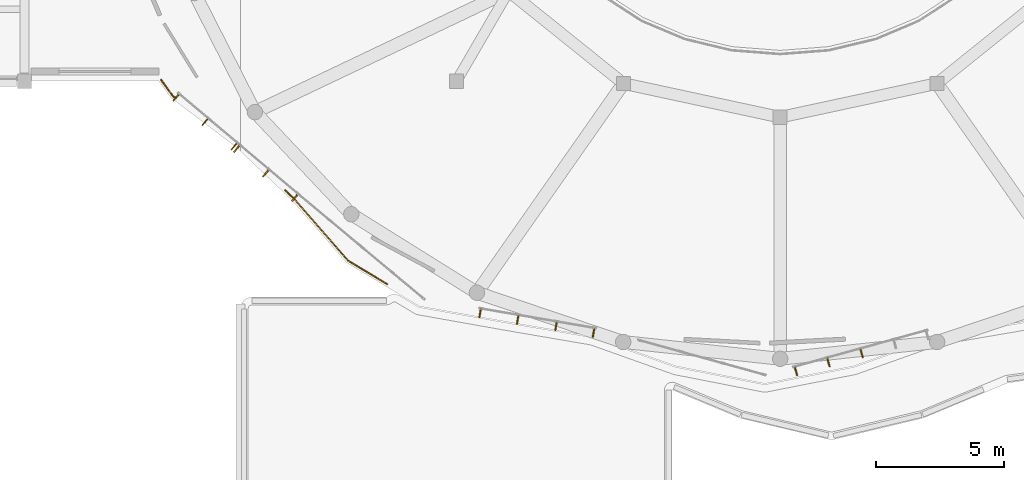
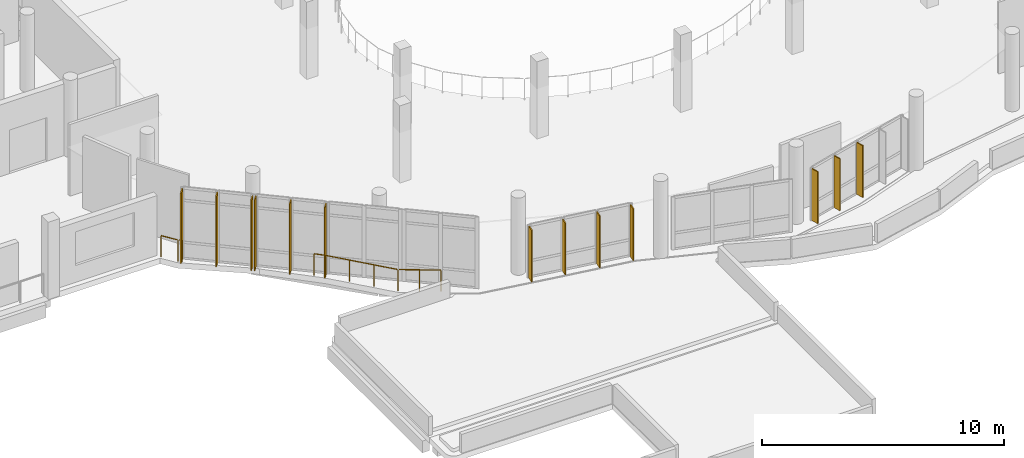
# One storey, part 65 of 74: 13 shading devices, 2 railings.
"""IFC4 building model written with IfcOpenShell, lengths in metres."""

import ifcopenshell
import ifcopenshell.guid

model = None  # the IFC model being written
_history = None  # IfcOwnerHistory: only IFC2X3 demands one
_inside = {}  # id of a spatial element -> (the spatial element, [elements in it])
_under = {}  # id of a project, library or spatial element -> (it, [spatial elements below it])
_declared = {}  # id of a project -> (the project, [libraries it declares])
_typed = {}  # id of a type object -> (the type object, [elements of that type])
_made_of = {}  # id of a material, layer set ... -> (it, [elements and type objects made of it])


def new_model(schema):
    """Start an empty IFC model of exactly this schema.

    Asked for "IFC4X3", IfcOpenShell would pick the latest addendum, in which some entities
    have other attributes; the version numbers below select the first issue.
    IFC2X3 requires an IfcOwnerHistory on every rooted entity: one is made here for all.
    """
    global model, _history
    if schema == "IFC4X3":
        model = ifcopenshell.file(schema_version=(4, 3, 0, 0))
    else:
        model = ifcopenshell.file(schema=schema)
    _inside.clear()
    _under.clear()
    _declared.clear()
    _typed.clear()
    _made_of.clear()
    _history = None
    if model.schema == "IFC2X3":
        org = make("IfcOrganization", Name="unknown")
        user = make(
            "IfcPersonAndOrganization",
            ThePerson=make("IfcPerson", FamilyName="unknown"),
            TheOrganization=org,
        )
        app = make(
            "IfcApplication",
            ApplicationDeveloper=org,
            Version="unknown",
            ApplicationFullName="unknown",
            ApplicationIdentifier="unknown",
        )
        _history = make(
            "IfcOwnerHistory",
            OwningUser=user,
            OwningApplication=app,
            ChangeAction="ADDED",
            CreationDate=0,
        )
    return model


def make(cls, **values):
    """One entity of the class cls with the attributes given. An attribute that is None is left unset."""
    return model.create_entity(
        cls, **{name: value for name, value in values.items() if value is not None}
    )


def rooted(cls, **values):
    """An entity with a GlobalId (a new one), such as an element, a storey or a relation."""
    return make(cls, GlobalId=ifcopenshell.guid.new(), OwnerHistory=_history, **values)


def si_unit(unit_type, name, prefix=None):
    """IfcSIUnit, for example si_unit("LENGTHUNIT", "METRE", prefix="MILLI")."""
    return make("IfcSIUnit", UnitType=unit_type, Prefix=prefix, Name=name)


def derived_unit(unit_type, elements):
    """IfcDerivedUnit: a product of units, each with its exponent."""
    return make(
        "IfcDerivedUnit",
        Elements=[
            make("IfcDerivedUnitElement", Unit=unit, Exponent=power)
            for unit, power in elements
        ],
        UnitType=unit_type,
    )


def assignment(units):
    """IfcUnitAssignment: the units of a project."""
    return None if units is None else make("IfcUnitAssignment", Units=units)


def point(xyz):
    """IfcCartesianPoint."""
    return None if xyz is None else make("IfcCartesianPoint", Coordinates=xyz)


def direction(xyz):
    """IfcDirection."""
    return None if xyz is None else make("IfcDirection", DirectionRatios=xyz)


def frame(location, z_axis=None, x_axis=None):
    """IfcAxis2Placement3D, a coordinate frame: its origin and axes. An axis left out is left unset."""
    return make(
        "IfcAxis2Placement3D",
        Location=point(location),
        Axis=direction(z_axis),
        RefDirection=direction(x_axis),
    )


def frame_2d(location, x_axis=None):
    """IfcAxis2Placement2D, a coordinate frame in the plane: its origin and x axis."""
    return make(
        "IfcAxis2Placement2D", Location=point(location), RefDirection=direction(x_axis)
    )


def origin():
    """The frame at (0, 0, 0) with its axes left unset."""
    return frame((0.0, 0.0, 0.0))


def origin_2d():
    """The frame at (0, 0) in the plane with its x axis left unset."""
    return frame_2d((0.0, 0.0))


def place(relative_to, where):
    """IfcLocalPlacement: puts the frame where relative to a parent placement (None: the world)."""
    return make(
        "IfcLocalPlacement", PlacementRelTo=relative_to, RelativePlacement=where
    )


def context(
    kind, dimensions, precision=None, world=None, true_north=None, identifier=None
):
    """IfcGeometricRepresentationContext, for example the 3D "Model" context."""
    return make(
        "IfcGeometricRepresentationContext",
        ContextIdentifier=identifier,
        ContextType=kind,
        CoordinateSpaceDimension=dimensions,
        Precision=precision,
        WorldCoordinateSystem=world,
        TrueNorth=true_north,
    )


def subcontext(parent, identifier, kind, view, scale=None):
    """IfcGeometricRepresentationSubContext, for example "Body" below "Model"."""
    return make(
        "IfcGeometricRepresentationSubContext",
        ContextIdentifier=identifier,
        ContextType=kind,
        ParentContext=parent,
        TargetScale=scale,
        TargetView=view,
    )


def project(units=None, contexts=None):
    """IfcProject with its units and contexts."""
    return rooted(
        "IfcProject",
        Name="project",
        RepresentationContexts=contexts,
        UnitsInContext=assignment(units),
    )


def spatial(cls, under=None, at=None, **own):
    """A site, building, storey or space (cls), placed at a placement, below another one or the project."""
    s = rooted(cls, ObjectPlacement=at, **own)
    if under is not None:
        _under.setdefault(under.id(), (under, []))[1].append(s)
    return s


def profile(cls, at=None, kind="AREA", **sizes):
    """A parametric profile (cls). Its sizes go by their IFC names, for example OverallWidth=200.0."""
    return make(cls, ProfileType=kind, Position=at, **sizes)


def rectangle(**sizes):
    """IfcRectangleProfileDef."""
    return profile("IfcRectangleProfileDef", **sizes)


def circle(**sizes):
    """IfcCircleProfileDef."""
    return profile("IfcCircleProfileDef", **sizes)


def extrude(swept, where, along, depth):
    """IfcExtrudedAreaSolid: the profile swept, set in the frame where, extruded along a direction by depth."""
    return make(
        "IfcExtrudedAreaSolid",
        SweptArea=swept,
        Position=where,
        ExtrudedDirection=direction(along),
        Depth=depth,
    )


def shape(context_of_items, identifier, shape_type, items):
    """IfcShapeRepresentation: the items that make up one representation, for example the "Body"."""
    return make(
        "IfcShapeRepresentation",
        ContextOfItems=context_of_items,
        RepresentationIdentifier=identifier,
        RepresentationType=shape_type,
        Items=items,
    )


def material(Name=None, Category=None):
    """IfcMaterial."""
    return make("IfcMaterial", Name=Name, Category=Category)


def made_of(thing, what):
    """Note that an element or type object is made of a material, layer set ...; save() writes the relation."""
    if what is not None:
        _made_of.setdefault(what.id(), (what, []))[1].append(thing)
    return thing


def type_object(cls, material=None, **own):
    """A type object (cls), such as IfcWallType, which elements share."""
    return made_of(rooted(cls, **own), material)


def element(
    cls,
    number,
    at=None,
    inside=None,
    cuts=None,
    type_object=None,
    material=None,
    context=None,
    identifier="Body",
    shape_type=None,
    held_by="IfcProductDefinitionShape",
    body=None,
    shapes=None,
    **own,
):
    """One element of the class cls, such as IfcWall. Its Tag is "e" and its number.

    at: its placement. inside: the storey or other place that contains it. cuts: it is an
    opening in that element (IfcRelVoidsElement). A single representation is given by context,
    identifier, shape_type and body (its items); several are given by shapes. held_by: the class
    of the entity that holds the representations. save() writes the other relations.
    """
    e = rooted(cls, Tag="e%d" % number, ObjectPlacement=at, **own)
    if body is not None:
        shapes = [shape(context, identifier, shape_type, body)]
    if shapes is not None:
        e.Representation = make(held_by, Representations=shapes)
    if inside is not None:
        _inside.setdefault(inside.id(), (inside, []))[1].append(e)
    if cuts is not None:
        rooted(
            "IfcRelVoidsElement", RelatingBuildingElement=cuts, RelatedOpeningElement=e
        )
    if type_object is not None:
        _typed.setdefault(type_object.id(), (type_object, []))[1].append(e)
    return made_of(e, material)


def aggregate(whole, parts):
    """IfcRelAggregates: a whole, such as a stair, and the parts it consists of."""
    return rooted("IfcRelAggregates", RelatingObject=whole, RelatedObjects=parts)


def save(model, path):
    """Write the relations noted so far, then the file.

    IfcRelAggregates (storeys below a building ...), IfcRelContainedInSpatialStructure (elements
    in a storey), IfcRelDefinesByType, IfcRelAssociatesMaterial and IfcRelDeclares: one each for
    every whole, place, type object, material and project.
    """
    for whole, parts in _under.values():
        aggregate(whole, parts)
    for where, things in _inside.values():
        rooted(
            "IfcRelContainedInSpatialStructure",
            RelatedElements=things,
            RelatingStructure=where,
        )
    for kind, things in _typed.values():
        rooted("IfcRelDefinesByType", RelatedObjects=things, RelatingType=kind)
    for what, things in _made_of.values():
        rooted("IfcRelAssociatesMaterial", RelatedObjects=things, RelatingMaterial=what)
    for by, libraries in _declared.values():
        rooted("IfcRelDeclares", RelatingContext=by, RelatedDefinitions=libraries)
    model.write(path)


model = new_model("IFC4")

# Units and contexts
model_context = context("Model", 3, precision=1e-05, world=origin(), true_north=direction((0.0, 1.0)))
body_context = subcontext(model_context, "Body", "Model", "MODEL_VIEW")
ifc_project = project(units=[si_unit("LENGTHUNIT", "METRE"), si_unit("AREAUNIT", "SQUARE_METRE"), si_unit("VOLUMEUNIT", "CUBIC_METRE"), si_unit("PLANEANGLEUNIT", "RADIAN"), si_unit("MASSUNIT", "GRAM", prefix="KILO"), derived_unit("THERMALTRANSMITTANCEUNIT", [(si_unit("POWERUNIT", "WATT"), 1), (si_unit("LENGTHUNIT", "METRE"), -2), (si_unit("THERMODYNAMICTEMPERATUREUNIT", "KELVIN"), -1)])], contexts=[model_context])

# Site, building, storey
site_placement = place(None, origin())
site = spatial("IfcSite", under=ifc_project, at=site_placement, CompositionType="ELEMENT")
building_placement = place(site_placement, origin())
building = spatial("IfcBuilding", under=site, at=building_placement, Name="Elbkamm Science Centre", CompositionType="ELEMENT")
storey_placement = place(building_placement, frame((0.0, 0.0, 14.39990234375)))
storey = spatial("IfcBuildingStorey", under=building, at=storey_placement, Name="L03", CompositionType="ELEMENT", Elevation=14.39990234375)

# Railings
ifc_material_1 = material(Name="Stainless steel EN 1.4401", Category="steel")
railing_type = type_object("IfcRailingType", Name="RAIL-EXT-GUARD-1100", PredefinedType="GUARDRAIL", material=ifc_material_1)
railing_1_placement = place(storey_placement, frame((47.703857421875, 50.90869140625, 0.0)))
element("IfcRailing", 1, at=railing_1_placement, inside=storey, type_object=railing_type, Name="L03 Slab Edge Perimeter Guard 092", PredefinedType="GUARDRAIL", context=body_context, shape_type="SweptSolid", body=[
    extrude(circle(Radius=0.02392578125, at=origin_2d()), frame((0.0, 0.0, 1.078125), z_axis=(-0.856739823334, 0.515748848873, 0.0), x_axis=(-0.515748848873, -0.856739823334, 0.0)), (0.0, 0.0, 1.0), 1.74560546875),
    extrude(circle(Radius=0.02392578125, at=origin_2d()), frame((-1.541015625, 0.9384765625, 1.078125), z_axis=(-0.657629301802, 0.753341689681, 0.0), x_axis=(-0.753341689681, -0.657629301802, 0.0)), (0.0, 0.0, 1.0), 3.120849609375),
    extrude(circle(Radius=0.02392578125, at=origin_2d()), frame((-3.634765625, 3.332763671875, 1.078125), z_axis=(-0.724391218968, 0.689389122254, 0.0), x_axis=(-0.689389122254, -0.724391218968, 0.0)), (0.0, 0.0, 1.0), 0.451171875),
    extrude(circle(Radius=0.02001953125, at=origin_2d()), origin(), (0.0, 0.0, 1.0), 1.048095703125),
    extrude(circle(Radius=0.02001953125, at=origin_2d()), frame((-0.7607421875, 0.4580078125, 0.0)), (0.0, 0.0, 1.0), 1.048095703125),
    extrude(circle(Radius=0.02001953125, at=origin_2d()), frame((-1.521240234375, 0.915771484375, 0.0)), (0.0, 0.0, 1.0), 1.048095703125),
    extrude(circle(Radius=0.02001953125, at=origin_2d()), frame((-2.218505859375, 1.714599609375, 0.0)), (0.0, 0.0, 1.0), 1.048095703125),
    extrude(circle(Radius=0.02001953125, at=origin_2d()), frame((-2.915771484375, 2.51318359375, 0.0)), (0.0, 0.0, 1.0), 1.048095703125),
    extrude(circle(Radius=0.02001953125, at=origin_2d()), frame((-3.613037109375, 3.31201171875, 0.0)), (0.0, 0.0, 1.0), 1.048095703125),
    extrude(circle(Radius=0.02001953125, at=origin_2d()), frame((-3.961669921875, 3.643798828125, 0.0)), (0.0, 0.0, 1.0), 1.048095703125),
])
railing_2_placement = place(storey_placement, frame((39.48974609375, 58.1318359375, 0.0)))
element("IfcRailing", 2, at=railing_2_placement, inside=storey, type_object=railing_type, Name="L03 Slab Edge Perimeter Guard 093", PredefinedType="GUARDRAIL", context=body_context, shape_type="SweptSolid", body=[
    extrude(circle(Radius=0.02392578125, at=origin_2d()), frame((0.0, 0.0, 1.078125), z_axis=(-0.79742625225, 0.603416416932, 0.0), x_axis=(-0.603416416932, -0.79742625225, 0.0)), (0.0, 0.0, 1.0), 0.1298828125),
    extrude(circle(Radius=0.02392578125, at=origin_2d()), frame((-0.14501953125, 0.120849609375, 1.078125), z_axis=(-0.584637320488, 0.811294769792, 0.0), x_axis=(-0.811294769792, -0.584637320488, 0.0)), (0.0, 0.0, 1.0), 0.743408203125),
    extrude(circle(Radius=0.02001953125, at=origin_2d()), origin(), (0.0, 0.0, 1.0), 1.048095703125),
    extrude(circle(Radius=0.02001953125, at=origin_2d()), frame((-0.12744140625, 0.096435546875, 0.0)), (0.0, 0.0, 1.0), 1.048095703125),
    extrude(circle(Radius=0.02001953125, at=origin_2d()), frame((-0.57958984375, 0.723876953125, 0.0)), (0.0, 0.0, 1.0), 1.048095703125),
])

# Shading devices
ifc_material_2 = material(Name="Terracotta-ochre powder-coated aluminium EN AW-6060", Category="masonry")
shading_device_type_1 = type_object("IfcShadingDeviceType", Name="SHD-LOUVRE-350", PredefinedType="USERDEFINED", material=ifc_material_2)
for number, where, z_axis, x_axis, name in (
    (3, (51.32373046875, 49.7685546875, 0.0), (0.0, 0.0, 1.0), (-0.168938380491, -0.985626614696, 0.0), "L03 Brise-Soleil Sunshade Fin 0107"),
    (4, (52.785400390625, 49.51806640625, 0.0), (0.0, 0.0, 1.0), (-0.168938380491, -0.985626614696, 0.0), "L03 Brise-Soleil Sunshade Fin 0108"),
    (5, (54.2763671875, 49.262451171875, 0.0), (0.0, 0.0, 1.0), (-0.168938380491, -0.985626614696, 0.0), "L03 Brise-Soleil Sunshade Fin 0109"),
    (6, (55.73779296875, 49.011962890625, 0.0), (0.0, 0.0, 1.0), (-0.168938380491, -0.985626614696, 0.0), "L03 Brise-Soleil Sunshade Fin 0110"),
    (7, (63.6162109375, 47.512939453125, 0.0), (0.0, 0.0, 1.0), (0.265729427578, -0.964047649922, 0.0), "L03 Brise-Soleil Sunshade Fin 0111"),
    (8, (64.8779296875, 47.86083984375, 0.0), (0.0, 0.0, 1.0), (0.265729427578, -0.964047649922, 0.0), "L03 Brise-Soleil Sunshade Fin 0112"),
    (9, (66.168701171875, 48.216552734375, 0.0), (0.0, 0.0, 1.0), (0.265729427578, -0.964047649922, 0.0), "L03 Brise-Soleil Sunshade Fin 0113"),
):
    element("IfcShadingDevice", number, at=place(storey_placement, frame(where, z_axis=z_axis, x_axis=x_axis)), inside=storey, type_object=shading_device_type_1, Name=name, ObjectType="LOUVRE", PredefinedType="USERDEFINED", context=body_context, shape_type="SweptSolid", body=[
        extrude(rectangle(XDim=0.35009765625, YDim=0.050048828125, at=origin_2d()), origin(), (0.0, 0.0, 1.0), 2.6201171875),
    ])
shading_device_type_2 = type_object("IfcShadingDeviceType", Name="SHD-LOUVRE-420", PredefinedType="USERDEFINED", material=ifc_material_2)
for number, where, z_axis, x_axis, name in (
    (10, (39.490478515625, 58.1640625, 0.0), (0.0, 0.0, 1.0), (-0.643956734472, -0.76506190869, 0.0), "L03 Brise-Soleil Sunshade Fin 0101"),
    (11, (40.6201171875, 57.213134765625, 0.0), (0.0, 0.0, 1.0), (-0.643956734472, -0.76506190869, 0.0), "L03 Brise-Soleil Sunshade Fin 0102"),
    (12, (41.75, 56.26220703125, 0.0), (0.0, 0.0, 1.0), (-0.643956734472, -0.76506190869, 0.0), "L03 Brise-Soleil Sunshade Fin 0103"),
    (13, (41.857177734375, 56.172119140625, 0.0), (0.0, 0.0, 1.0), (-0.643956734472, -0.76506190869, 0.0), "L03 Brise-Soleil Sunshade Fin 0104"),
    (14, (42.98681640625, 55.221435546875, 0.0), (0.0, 0.0, 1.0), (-0.643956734472, -0.76506190869, 0.0), "L03 Brise-Soleil Sunshade Fin 0105"),
    (15, (44.116455078125, 54.2705078125, 0.0), (0.0, 0.0, 1.0), (-0.643956734472, -0.76506190869, 0.0), "L03 Brise-Soleil Sunshade Fin 0106"),
):
    element("IfcShadingDevice", number, at=place(storey_placement, frame(where, z_axis=z_axis, x_axis=x_axis)), inside=storey, type_object=shading_device_type_2, Name=name, ObjectType="LOUVRE", PredefinedType="USERDEFINED", context=body_context, shape_type="SweptSolid", body=[
        extrude(rectangle(XDim=0.35009765625, YDim=0.050048828125, at=origin_2d()), origin(), (0.0, 0.0, 1.0), 3.570068359375),
    ])

save(model, "model.ifc")
